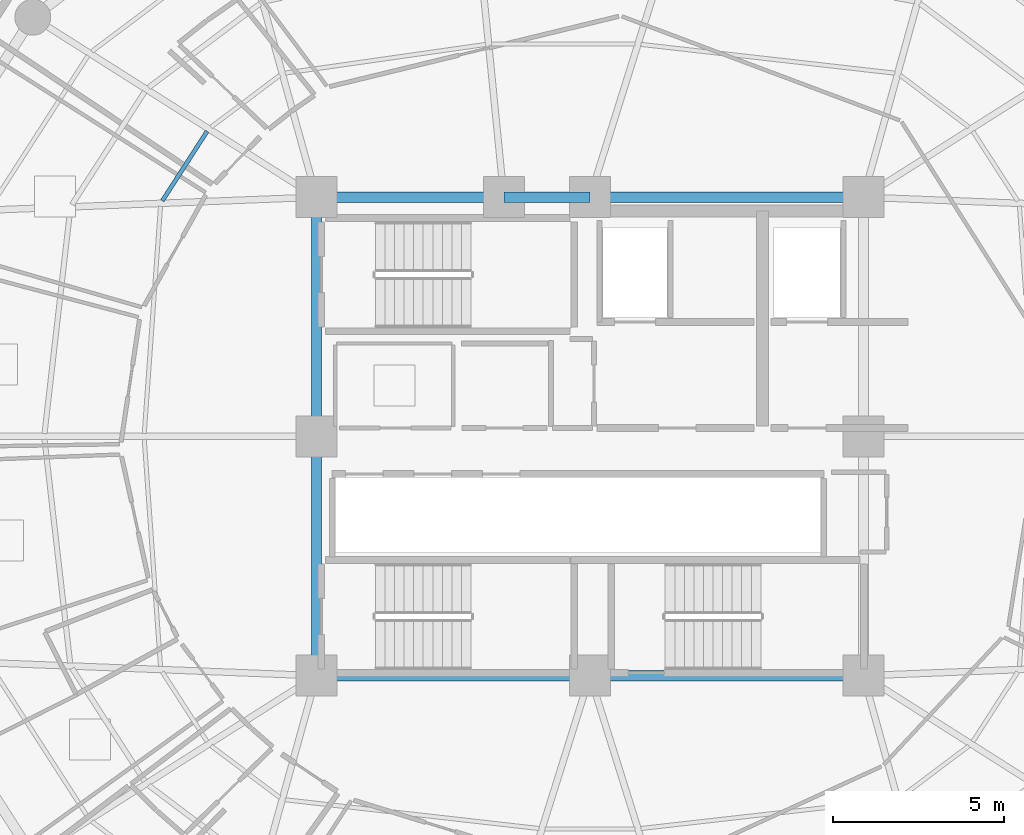
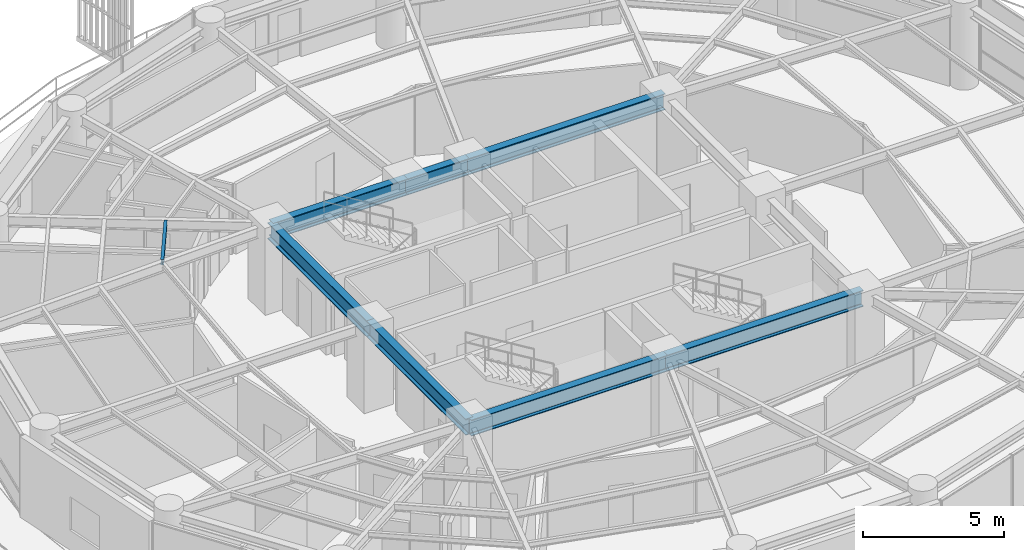
# One storey, part 9 of 30: 8 beams.
"""IFC4 building model written with IfcOpenShell, lengths in metres."""

from ifc_helpers import new_model, si_unit, direction, frame, origin, origin_2d, place, context, subcontext, project, spatial, i_section, extrude, material, material_profile, profile_set, type_object, element, save


model = new_model("IFC4")

# Units and contexts
model_context = context("Model", 3, precision=1e-05, world=origin(), true_north=direction((0.0, 1.0)))
body_context = subcontext(model_context, "Body", "Model", "MODEL_VIEW")
ifc_project = project(units=[si_unit("LENGTHUNIT", "METRE"), si_unit("AREAUNIT", "SQUARE_METRE"), si_unit("VOLUMEUNIT", "CUBIC_METRE"), si_unit("PLANEANGLEUNIT", "RADIAN"), si_unit("MASSUNIT", "GRAM", prefix="KILO")], contexts=[model_context])

# Site, building, storey
site_placement = place(None, origin())
site = spatial("IfcSite", under=ifc_project, at=site_placement, CompositionType="ELEMENT")
building_placement = place(site_placement, origin())
building = spatial("IfcBuilding", under=site, at=building_placement, Name="Kelanora Arch Commons", CompositionType="ELEMENT")
storey_placement = place(building_placement, frame((0.0, 0.0, 215.699951171875)))
storey = spatial("IfcBuildingStorey", under=building, at=storey_placement, Name="L55", CompositionType="ELEMENT", Elevation=215.699951171875)

# Beams
ifc_material = material(Name="Steel S355", Category="steel")
ifc_material_profile_1 = material_profile(ifc_material, i_section(OverallWidth=0.300048828125, OverallDepth=0.699951171875, WebThickness=0.01708984375, FlangeThickness=0.031982421875, FilletRadius=0.027099609375, at=origin_2d()), Name="HEB700")
ifc_profile_set_1 = profile_set([ifc_material_profile_1], Name="Steel S355")
beam_type_1 = type_object("IfcBeamType", Name="BM-CORE-HDR", PredefinedType="BEAM", material=ifc_profile_set_1)
for number, where, z_axis, x_axis, name in (
    (1, (66.0, 51.0, 3.14013671875), (1.0, 0.0, 0.0), (0.0, 1.0, 0.0), "Core Header Beam 01 L55"),
    (2, (74.0, 51.0, 3.14013671875), (1.0, 0.0, 0.0), (0.0, 1.0, 0.0), "Core Header Beam 02 L55"),
    (3, (82.0, 65.0, 3.14013671875), (-1.0, 0.0, 0.0), (0.0, -1.0, 0.0), "Core Header Beam 05 L55"),
):
    element("IfcBeam", number, at=place(storey_placement, frame(where, z_axis=z_axis, x_axis=x_axis)), inside=storey, type_object=beam_type_1, Name=name, PredefinedType="BEAM", context=body_context, shape_type="SweptSolid", body=[
        extrude(i_section(OverallWidth=0.300048828125, OverallDepth=0.699951171875, WebThickness=0.01708984375, FlangeThickness=0.031982421875, FilletRadius=0.027099609375, at=origin_2d()), origin(), (0.0, 0.0, 1.0), 8.0),
    ])
beam_1_placement = place(storey_placement, frame((74.0, 65.0, 3.14013671875), z_axis=(-1.0, 0.0, 0.0), x_axis=(0.0, -1.0, 0.0)))
element("IfcBeam", 4, at=beam_1_placement, inside=storey, type_object=beam_type_1, Name="Core Header Beam 06 L55", PredefinedType="BEAM", context=body_context, shape_type="SweptSolid", body=[
    extrude(i_section(OverallWidth=0.300048828125, OverallDepth=0.699951171875, WebThickness=0.01708984375, FlangeThickness=0.031982421875, FilletRadius=0.027099609375, at=origin_2d()), origin(), (0.0, 0.0, 1.0), 2.52001953125),
])
beam_2_placement = place(storey_placement, frame((71.47998046875, 65.0, 3.14013671875), z_axis=(-1.0, 0.0, 0.0), x_axis=(0.0, -1.0, 0.0)))
element("IfcBeam", 5, at=beam_2_placement, inside=storey, type_object=beam_type_1, Name="Core Header Beam 07 L55", PredefinedType="BEAM", context=body_context, shape_type="SweptSolid", body=[
    extrude(i_section(OverallWidth=0.300048828125, OverallDepth=0.699951171875, WebThickness=0.01708984375, FlangeThickness=0.031982421875, FilletRadius=0.027099609375, at=origin_2d()), origin(), (0.0, 0.0, 1.0), 5.47998046875),
])
for number, where, z_axis, x_axis, name in (
    (6, (66.0, 65.0, 3.14013671875), (0.0, -1.0, 0.0), (1.0, 0.0, 0.0), "Core Header Beam 08 L55"),
    (7, (66.0, 58.0, 3.14013671875), (0.0, -1.0, 0.0), (1.0, 0.0, 0.0), "Core Header Beam 09 L55"),
):
    element("IfcBeam", number, at=place(storey_placement, frame(where, z_axis=z_axis, x_axis=x_axis)), inside=storey, type_object=beam_type_1, Name=name, PredefinedType="BEAM", context=body_context, shape_type="SweptSolid", body=[
        extrude(i_section(OverallWidth=0.300048828125, OverallDepth=0.699951171875, WebThickness=0.01708984375, FlangeThickness=0.031982421875, FilletRadius=0.027099609375, at=origin_2d()), origin(), (0.0, 0.0, 1.0), 7.0),
    ])
ifc_material_profile_2 = material_profile(ifc_material, i_section(OverallWidth=0.1201171875, OverallDepth=0.239990234375, WebThickness=0.006103515625, FlangeThickness=0.009765625, FilletRadius=0.014892578125, at=origin_2d()), Name="IPE240")
ifc_profile_set_2 = profile_set([ifc_material_profile_2], Name="Steel S355")
beam_type_2 = type_object("IfcBeamType", Name="BM-JST-02", PredefinedType="JOIST", material=ifc_profile_set_2)
beam_3_placement = place(storey_placement, frame((62.79931640625, 66.928955078125, 3.3701171875), z_axis=(-0.541332763503, -0.840808443796, 0.0), x_axis=(0.840808443796, -0.541332763503, 0.0)))
element("IfcBeam", 8, at=beam_3_placement, inside=storey, type_object=beam_type_2, Name="Secondary Chord Joist BJA-14 L55", PredefinedType="JOIST", context=body_context, shape_type="SweptSolid", body=[
    extrude(i_section(OverallWidth=0.1201171875, OverallDepth=0.239990234375, WebThickness=0.006103515625, FlangeThickness=0.009765625, FilletRadius=0.014892578125, at=origin_2d()), origin(), (0.0, 0.0, 1.0), 2.423583984375),
])

save(model, "model.ifc")
